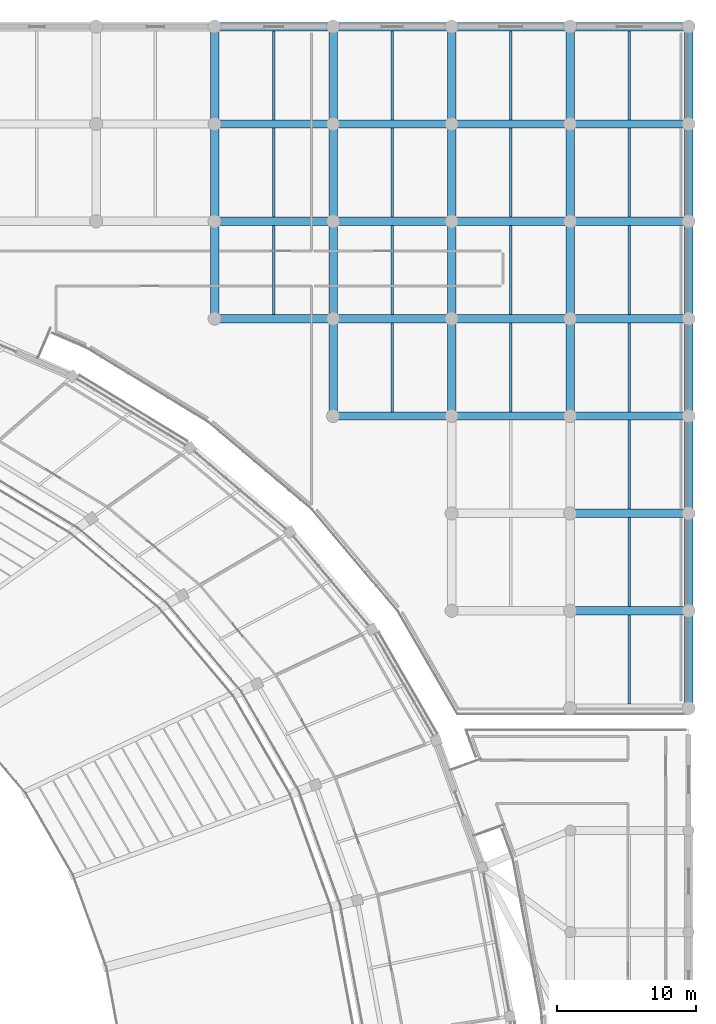
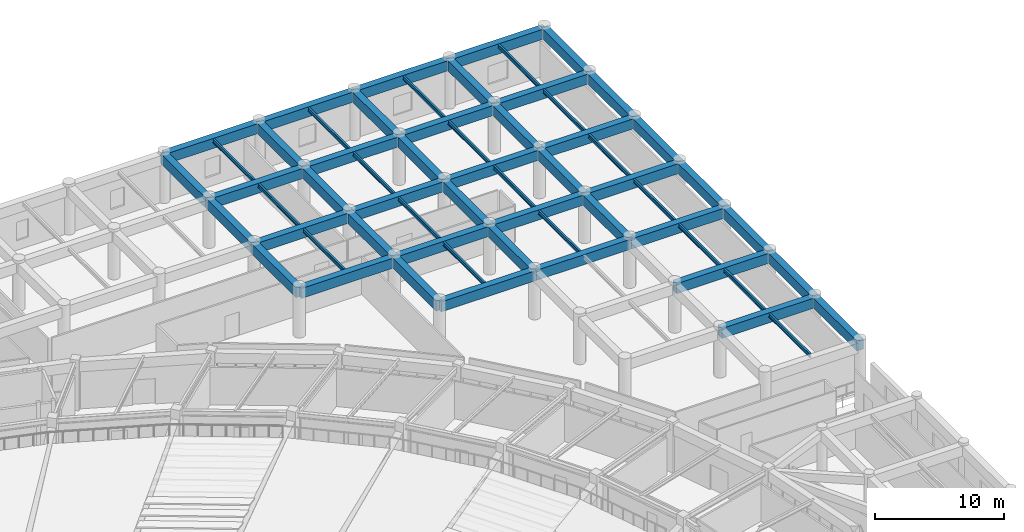
# One storey, part 73 of 137: 61 beams.
"""IFC4 building model written with IfcOpenShell, lengths in metres."""

from ifc_helpers import new_model, si_unit, direction, frame, origin, origin_2d, place, context, subcontext, project, spatial, rectangle, i_section, extrude, material, material_profile, profile_set, type_object, element, save


model = new_model("IFC4")

# Units and contexts
model_context = context("Model", 3, precision=1e-05, world=origin(), true_north=direction((0.0, 1.0)))
body_context = subcontext(model_context, "Body", "Model", "MODEL_VIEW")
ifc_project = project(units=[si_unit("LENGTHUNIT", "METRE"), si_unit("AREAUNIT", "SQUARE_METRE"), si_unit("VOLUMEUNIT", "CUBIC_METRE"), si_unit("PLANEANGLEUNIT", "RADIAN"), si_unit("MASSUNIT", "GRAM", prefix="KILO")], contexts=[model_context])

# Site, building, storey
site_placement = place(None, origin())
site = spatial("IfcSite", under=ifc_project, at=site_placement, CompositionType="ELEMENT")
building_placement = place(site_placement, origin())
building = spatial("IfcBuilding", under=site, at=building_placement, Name="Mphavela Belvedere Stadium", CompositionType="ELEMENT")
storey_placement = place(building_placement, frame((0.0, 0.0, 19.199951171875)))
storey = spatial("IfcBuildingStorey", under=building, at=storey_placement, Name="L04", CompositionType="ELEMENT", Elevation=19.199951171875)

# Beams
ifc_material_1 = material(Name="Concrete C40/50", Category="concrete")
ifc_material_profile_1 = material_profile(ifc_material_1, rectangle(XDim=0.60009765625, YDim=0.949951171875, at=origin_2d()), Name="RC 600x950")
ifc_profile_set_1 = profile_set([ifc_material_profile_1], Name="Concrete C40/50")
beam_type_1 = type_object("IfcBeamType", Name="BM-ENTABLATURE-950", PredefinedType="SPANDREL", material=ifc_profile_set_1)
beam_1_placement = place(storey_placement, frame((195.926025390625, 153.0, 4.06494140625), z_axis=(1.0, 0.0, 0.0), x_axis=(0.0, 1.0, 0.0)))
element("IfcBeam", 1, at=beam_1_placement, inside=storey, type_object=beam_type_1, Name="North Mast and Ceremonial End Forecourt entablature beam X L04 24-5", PredefinedType="SPANDREL", context=body_context, shape_type="SweptSolid", body=[
    extrude(rectangle(XDim=0.60009765625, YDim=0.949951171875, at=origin_2d()), origin(), (0.0, 0.0, 1.0), 8.51806640625),
])
beam_2_placement = place(storey_placement, frame((195.926025390625, 153.0, 4.06494140625), z_axis=(0.0, 1.0, 0.0), x_axis=(-1.0, 0.0, 0.0)))
element("IfcBeam", 2, at=beam_2_placement, inside=storey, type_object=beam_type_1, Name="North Mast and Ceremonial End Forecourt entablature beam Y L04 24-5", PredefinedType="SPANDREL", context=body_context, shape_type="SweptSolid", body=[
    extrude(rectangle(XDim=0.60009765625, YDim=0.949951171875, at=origin_2d()), origin(), (0.0, 0.0, 1.0), 7.0),
])
beam_3_placement = place(storey_placement, frame((195.926025390625, 160.0, 4.06494140625), z_axis=(1.0, 0.0, 0.0), x_axis=(0.0, 1.0, 0.0)))
element("IfcBeam", 3, at=beam_3_placement, inside=storey, type_object=beam_type_1, Name="North Mast and Ceremonial End Forecourt entablature beam X L04 24-6", PredefinedType="SPANDREL", context=body_context, shape_type="SweptSolid", body=[
    extrude(rectangle(XDim=0.60009765625, YDim=0.949951171875, at=origin_2d()), origin(), (0.0, 0.0, 1.0), 8.51806640625),
])
beam_4_placement = place(storey_placement, frame((195.926025390625, 160.0, 4.06494140625), z_axis=(0.0, 1.0, 0.0), x_axis=(-1.0, 0.0, 0.0)))
element("IfcBeam", 4, at=beam_4_placement, inside=storey, type_object=beam_type_1, Name="North Mast and Ceremonial End Forecourt entablature beam Y L04 24-6", PredefinedType="SPANDREL", context=body_context, shape_type="SweptSolid", body=[
    extrude(rectangle(XDim=0.60009765625, YDim=0.949951171875, at=origin_2d()), origin(), (0.0, 0.0, 1.0), 7.0),
])
beam_5_placement = place(storey_placement, frame((195.926025390625, 167.0, 4.06494140625), z_axis=(1.0, 0.0, 0.0), x_axis=(0.0, 1.0, 0.0)))
element("IfcBeam", 5, at=beam_5_placement, inside=storey, type_object=beam_type_1, Name="North Mast and Ceremonial End Forecourt entablature beam X L04 24-7", PredefinedType="SPANDREL", context=body_context, shape_type="SweptSolid", body=[
    extrude(rectangle(XDim=0.60009765625, YDim=0.949951171875, at=origin_2d()), origin(), (0.0, 0.0, 1.0), 8.51806640625),
])
beam_6_placement = place(storey_placement, frame((195.926025390625, 167.0, 4.06494140625), z_axis=(0.0, 1.0, 0.0), x_axis=(-1.0, 0.0, 0.0)))
element("IfcBeam", 6, at=beam_6_placement, inside=storey, type_object=beam_type_1, Name="North Mast and Ceremonial End Forecourt entablature beam Y L04 24-7", PredefinedType="SPANDREL", context=body_context, shape_type="SweptSolid", body=[
    extrude(rectangle(XDim=0.60009765625, YDim=0.949951171875, at=origin_2d()), origin(), (0.0, 0.0, 1.0), 7.0),
])
beam_7_placement = place(storey_placement, frame((195.926025390625, 174.0, 4.06494140625), z_axis=(1.0, 0.0, 0.0), x_axis=(0.0, 1.0, 0.0)))
element("IfcBeam", 7, at=beam_7_placement, inside=storey, type_object=beam_type_1, Name="North Mast and Ceremonial End Forecourt entablature beam X L04 24-8", PredefinedType="SPANDREL", context=body_context, shape_type="SweptSolid", body=[
    extrude(rectangle(XDim=0.60009765625, YDim=0.949951171875, at=origin_2d()), origin(), (0.0, 0.0, 1.0), 8.51806640625),
])
beam_8_placement = place(storey_placement, frame((204.444091796875, 146.0, 4.06494140625), z_axis=(1.0, 0.0, 0.0), x_axis=(0.0, 1.0, 0.0)))
element("IfcBeam", 8, at=beam_8_placement, inside=storey, type_object=beam_type_1, Name="North Mast and Ceremonial End Forecourt entablature beam X L04 25-4", PredefinedType="SPANDREL", context=body_context, shape_type="SweptSolid", body=[
    extrude(rectangle(XDim=0.60009765625, YDim=0.949951171875, at=origin_2d()), origin(), (0.0, 0.0, 1.0), 8.518798828125),
])
beam_9_placement = place(storey_placement, frame((204.444091796875, 146.0, 4.06494140625), z_axis=(0.0, 1.0, 0.0), x_axis=(-1.0, 0.0, 0.0)))
element("IfcBeam", 9, at=beam_9_placement, inside=storey, type_object=beam_type_1, Name="North Mast and Ceremonial End Forecourt entablature beam Y L04 25-4", PredefinedType="SPANDREL", context=body_context, shape_type="SweptSolid", body=[
    extrude(rectangle(XDim=0.60009765625, YDim=0.949951171875, at=origin_2d()), origin(), (0.0, 0.0, 1.0), 7.0),
])
beam_10_placement = place(storey_placement, frame((204.444091796875, 153.0, 4.06494140625), z_axis=(1.0, 0.0, 0.0), x_axis=(0.0, 1.0, 0.0)))
element("IfcBeam", 10, at=beam_10_placement, inside=storey, type_object=beam_type_1, Name="North Mast and Ceremonial End Forecourt entablature beam X L04 25-5", PredefinedType="SPANDREL", context=body_context, shape_type="SweptSolid", body=[
    extrude(rectangle(XDim=0.60009765625, YDim=0.949951171875, at=origin_2d()), origin(), (0.0, 0.0, 1.0), 8.518798828125),
])
beam_11_placement = place(storey_placement, frame((204.444091796875, 153.0, 4.06494140625), z_axis=(0.0, 1.0, 0.0), x_axis=(-1.0, 0.0, 0.0)))
element("IfcBeam", 11, at=beam_11_placement, inside=storey, type_object=beam_type_1, Name="North Mast and Ceremonial End Forecourt entablature beam Y L04 25-5", PredefinedType="SPANDREL", context=body_context, shape_type="SweptSolid", body=[
    extrude(rectangle(XDim=0.60009765625, YDim=0.949951171875, at=origin_2d()), origin(), (0.0, 0.0, 1.0), 7.0),
])
beam_12_placement = place(storey_placement, frame((204.444091796875, 160.0, 4.06494140625), z_axis=(1.0, 0.0, 0.0), x_axis=(0.0, 1.0, 0.0)))
element("IfcBeam", 12, at=beam_12_placement, inside=storey, type_object=beam_type_1, Name="North Mast and Ceremonial End Forecourt entablature beam X L04 25-6", PredefinedType="SPANDREL", context=body_context, shape_type="SweptSolid", body=[
    extrude(rectangle(XDim=0.60009765625, YDim=0.949951171875, at=origin_2d()), origin(), (0.0, 0.0, 1.0), 8.518798828125),
])
beam_13_placement = place(storey_placement, frame((204.444091796875, 160.0, 4.06494140625), z_axis=(0.0, 1.0, 0.0), x_axis=(-1.0, 0.0, 0.0)))
element("IfcBeam", 13, at=beam_13_placement, inside=storey, type_object=beam_type_1, Name="North Mast and Ceremonial End Forecourt entablature beam Y L04 25-6", PredefinedType="SPANDREL", context=body_context, shape_type="SweptSolid", body=[
    extrude(rectangle(XDim=0.60009765625, YDim=0.949951171875, at=origin_2d()), origin(), (0.0, 0.0, 1.0), 7.0),
])
beam_14_placement = place(storey_placement, frame((204.444091796875, 167.0, 4.06494140625), z_axis=(1.0, 0.0, 0.0), x_axis=(0.0, 1.0, 0.0)))
element("IfcBeam", 14, at=beam_14_placement, inside=storey, type_object=beam_type_1, Name="North Mast and Ceremonial End Forecourt entablature beam X L04 25-7", PredefinedType="SPANDREL", context=body_context, shape_type="SweptSolid", body=[
    extrude(rectangle(XDim=0.60009765625, YDim=0.949951171875, at=origin_2d()), origin(), (0.0, 0.0, 1.0), 8.518798828125),
])
beam_15_placement = place(storey_placement, frame((204.444091796875, 167.0, 4.06494140625), z_axis=(0.0, 1.0, 0.0), x_axis=(-1.0, 0.0, 0.0)))
element("IfcBeam", 15, at=beam_15_placement, inside=storey, type_object=beam_type_1, Name="North Mast and Ceremonial End Forecourt entablature beam Y L04 25-7", PredefinedType="SPANDREL", context=body_context, shape_type="SweptSolid", body=[
    extrude(rectangle(XDim=0.60009765625, YDim=0.949951171875, at=origin_2d()), origin(), (0.0, 0.0, 1.0), 7.0),
])
beam_16_placement = place(storey_placement, frame((204.444091796875, 174.0, 4.06494140625), z_axis=(1.0, 0.0, 0.0), x_axis=(0.0, 1.0, 0.0)))
element("IfcBeam", 16, at=beam_16_placement, inside=storey, type_object=beam_type_1, Name="North Mast and Ceremonial End Forecourt entablature beam X L04 25-8", PredefinedType="SPANDREL", context=body_context, shape_type="SweptSolid", body=[
    extrude(rectangle(XDim=0.60009765625, YDim=0.949951171875, at=origin_2d()), origin(), (0.0, 0.0, 1.0), 8.518798828125),
])
beam_17_placement = place(storey_placement, frame((212.962890625, 146.0, 4.06494140625), z_axis=(1.0, 0.0, 0.0), x_axis=(0.0, 1.0, 0.0)))
element("IfcBeam", 17, at=beam_17_placement, inside=storey, type_object=beam_type_1, Name="North Mast and Ceremonial End Forecourt entablature beam X L04 26-4", PredefinedType="SPANDREL", context=body_context, shape_type="SweptSolid", body=[
    extrude(rectangle(XDim=0.60009765625, YDim=0.949951171875, at=origin_2d()), origin(), (0.0, 0.0, 1.0), 8.51806640625),
])
beam_18_placement = place(storey_placement, frame((212.962890625, 146.0, 4.06494140625), z_axis=(0.0, 1.0, 0.0), x_axis=(-1.0, 0.0, 0.0)))
element("IfcBeam", 18, at=beam_18_placement, inside=storey, type_object=beam_type_1, Name="North Mast and Ceremonial End Forecourt entablature beam Y L04 26-4", PredefinedType="SPANDREL", context=body_context, shape_type="SweptSolid", body=[
    extrude(rectangle(XDim=0.60009765625, YDim=0.949951171875, at=origin_2d()), origin(), (0.0, 0.0, 1.0), 7.0),
])
beam_19_placement = place(storey_placement, frame((212.962890625, 153.0, 4.06494140625), z_axis=(1.0, 0.0, 0.0), x_axis=(0.0, 1.0, 0.0)))
element("IfcBeam", 19, at=beam_19_placement, inside=storey, type_object=beam_type_1, Name="North Mast and Ceremonial End Forecourt entablature beam X L04 26-5", PredefinedType="SPANDREL", context=body_context, shape_type="SweptSolid", body=[
    extrude(rectangle(XDim=0.60009765625, YDim=0.949951171875, at=origin_2d()), origin(), (0.0, 0.0, 1.0), 8.51806640625),
])
beam_20_placement = place(storey_placement, frame((212.962890625, 153.0, 4.06494140625), z_axis=(0.0, 1.0, 0.0), x_axis=(-1.0, 0.0, 0.0)))
element("IfcBeam", 20, at=beam_20_placement, inside=storey, type_object=beam_type_1, Name="North Mast and Ceremonial End Forecourt entablature beam Y L04 26-5", PredefinedType="SPANDREL", context=body_context, shape_type="SweptSolid", body=[
    extrude(rectangle(XDim=0.60009765625, YDim=0.949951171875, at=origin_2d()), origin(), (0.0, 0.0, 1.0), 7.0),
])
beam_21_placement = place(storey_placement, frame((212.962890625, 160.0, 4.06494140625), z_axis=(1.0, 0.0, 0.0), x_axis=(0.0, 1.0, 0.0)))
element("IfcBeam", 21, at=beam_21_placement, inside=storey, type_object=beam_type_1, Name="North Mast and Ceremonial End Forecourt entablature beam X L04 26-6", PredefinedType="SPANDREL", context=body_context, shape_type="SweptSolid", body=[
    extrude(rectangle(XDim=0.60009765625, YDim=0.949951171875, at=origin_2d()), origin(), (0.0, 0.0, 1.0), 8.51806640625),
])
beam_22_placement = place(storey_placement, frame((212.962890625, 160.0, 4.06494140625), z_axis=(0.0, 1.0, 0.0), x_axis=(-1.0, 0.0, 0.0)))
element("IfcBeam", 22, at=beam_22_placement, inside=storey, type_object=beam_type_1, Name="North Mast and Ceremonial End Forecourt entablature beam Y L04 26-6", PredefinedType="SPANDREL", context=body_context, shape_type="SweptSolid", body=[
    extrude(rectangle(XDim=0.60009765625, YDim=0.949951171875, at=origin_2d()), origin(), (0.0, 0.0, 1.0), 7.0),
])
beam_23_placement = place(storey_placement, frame((212.962890625, 167.0, 4.06494140625), z_axis=(1.0, 0.0, 0.0), x_axis=(0.0, 1.0, 0.0)))
element("IfcBeam", 23, at=beam_23_placement, inside=storey, type_object=beam_type_1, Name="North Mast and Ceremonial End Forecourt entablature beam X L04 26-7", PredefinedType="SPANDREL", context=body_context, shape_type="SweptSolid", body=[
    extrude(rectangle(XDim=0.60009765625, YDim=0.949951171875, at=origin_2d()), origin(), (0.0, 0.0, 1.0), 8.51806640625),
])
beam_24_placement = place(storey_placement, frame((212.962890625, 167.0, 4.06494140625), z_axis=(0.0, 1.0, 0.0), x_axis=(-1.0, 0.0, 0.0)))
element("IfcBeam", 24, at=beam_24_placement, inside=storey, type_object=beam_type_1, Name="North Mast and Ceremonial End Forecourt entablature beam Y L04 26-7", PredefinedType="SPANDREL", context=body_context, shape_type="SweptSolid", body=[
    extrude(rectangle(XDim=0.60009765625, YDim=0.949951171875, at=origin_2d()), origin(), (0.0, 0.0, 1.0), 7.0),
])
beam_25_placement = place(storey_placement, frame((212.962890625, 174.0, 4.06494140625), z_axis=(1.0, 0.0, 0.0), x_axis=(0.0, 1.0, 0.0)))
element("IfcBeam", 25, at=beam_25_placement, inside=storey, type_object=beam_type_1, Name="North Mast and Ceremonial End Forecourt entablature beam X L04 26-8", PredefinedType="SPANDREL", context=body_context, shape_type="SweptSolid", body=[
    extrude(rectangle(XDim=0.60009765625, YDim=0.949951171875, at=origin_2d()), origin(), (0.0, 0.0, 1.0), 8.51806640625),
])
for number, where, z_axis, x_axis, name in (
    (26, (221.48095703125, 132.0, 4.06494140625), (1.0, 0.0, 0.0), (0.0, 1.0, 0.0), "North Mast and Ceremonial End Forecourt entablature beam X L04 27-2"),
    (27, (221.48095703125, 139.0, 4.06494140625), (1.0, 0.0, 0.0), (0.0, 1.0, 0.0), "North Mast and Ceremonial End Forecourt entablature beam X L04 27-3"),
    (28, (221.48095703125, 146.0, 4.06494140625), (1.0, 0.0, 0.0), (0.0, 1.0, 0.0), "North Mast and Ceremonial End Forecourt entablature beam X L04 27-4"),
):
    element("IfcBeam", number, at=place(storey_placement, frame(where, z_axis=z_axis, x_axis=x_axis)), inside=storey, type_object=beam_type_1, Name=name, PredefinedType="SPANDREL", context=body_context, shape_type="SweptSolid", body=[
        extrude(rectangle(XDim=0.60009765625, YDim=0.949951171875, at=origin_2d()), origin(), (0.0, 0.0, 1.0), 8.51904296875),
    ])
beam_26_placement = place(storey_placement, frame((221.48095703125, 146.0, 4.06494140625), z_axis=(0.0, 1.0, 0.0), x_axis=(-1.0, 0.0, 0.0)))
element("IfcBeam", 29, at=beam_26_placement, inside=storey, type_object=beam_type_1, Name="North Mast and Ceremonial End Forecourt entablature beam Y L04 27-4", PredefinedType="SPANDREL", context=body_context, shape_type="SweptSolid", body=[
    extrude(rectangle(XDim=0.60009765625, YDim=0.949951171875, at=origin_2d()), origin(), (0.0, 0.0, 1.0), 7.0),
])
beam_27_placement = place(storey_placement, frame((221.48095703125, 153.0, 4.06494140625), z_axis=(1.0, 0.0, 0.0), x_axis=(0.0, 1.0, 0.0)))
element("IfcBeam", 30, at=beam_27_placement, inside=storey, type_object=beam_type_1, Name="North Mast and Ceremonial End Forecourt entablature beam X L04 27-5", PredefinedType="SPANDREL", context=body_context, shape_type="SweptSolid", body=[
    extrude(rectangle(XDim=0.60009765625, YDim=0.949951171875, at=origin_2d()), origin(), (0.0, 0.0, 1.0), 8.51904296875),
])
beam_28_placement = place(storey_placement, frame((221.48095703125, 153.0, 4.06494140625), z_axis=(0.0, 1.0, 0.0), x_axis=(-1.0, 0.0, 0.0)))
element("IfcBeam", 31, at=beam_28_placement, inside=storey, type_object=beam_type_1, Name="North Mast and Ceremonial End Forecourt entablature beam Y L04 27-5", PredefinedType="SPANDREL", context=body_context, shape_type="SweptSolid", body=[
    extrude(rectangle(XDim=0.60009765625, YDim=0.949951171875, at=origin_2d()), origin(), (0.0, 0.0, 1.0), 7.0),
])
beam_29_placement = place(storey_placement, frame((221.48095703125, 160.0, 4.06494140625), z_axis=(1.0, 0.0, 0.0), x_axis=(0.0, 1.0, 0.0)))
element("IfcBeam", 32, at=beam_29_placement, inside=storey, type_object=beam_type_1, Name="North Mast and Ceremonial End Forecourt entablature beam X L04 27-6", PredefinedType="SPANDREL", context=body_context, shape_type="SweptSolid", body=[
    extrude(rectangle(XDim=0.60009765625, YDim=0.949951171875, at=origin_2d()), origin(), (0.0, 0.0, 1.0), 8.51904296875),
])
beam_30_placement = place(storey_placement, frame((221.48095703125, 160.0, 4.06494140625), z_axis=(0.0, 1.0, 0.0), x_axis=(-1.0, 0.0, 0.0)))
element("IfcBeam", 33, at=beam_30_placement, inside=storey, type_object=beam_type_1, Name="North Mast and Ceremonial End Forecourt entablature beam Y L04 27-6", PredefinedType="SPANDREL", context=body_context, shape_type="SweptSolid", body=[
    extrude(rectangle(XDim=0.60009765625, YDim=0.949951171875, at=origin_2d()), origin(), (0.0, 0.0, 1.0), 7.0),
])
beam_31_placement = place(storey_placement, frame((221.48095703125, 167.0, 4.06494140625), z_axis=(1.0, 0.0, 0.0), x_axis=(0.0, 1.0, 0.0)))
element("IfcBeam", 34, at=beam_31_placement, inside=storey, type_object=beam_type_1, Name="North Mast and Ceremonial End Forecourt entablature beam X L04 27-7", PredefinedType="SPANDREL", context=body_context, shape_type="SweptSolid", body=[
    extrude(rectangle(XDim=0.60009765625, YDim=0.949951171875, at=origin_2d()), origin(), (0.0, 0.0, 1.0), 8.51904296875),
])
beam_32_placement = place(storey_placement, frame((221.48095703125, 167.0, 4.06494140625), z_axis=(0.0, 1.0, 0.0), x_axis=(-1.0, 0.0, 0.0)))
element("IfcBeam", 35, at=beam_32_placement, inside=storey, type_object=beam_type_1, Name="North Mast and Ceremonial End Forecourt entablature beam Y L04 27-7", PredefinedType="SPANDREL", context=body_context, shape_type="SweptSolid", body=[
    extrude(rectangle(XDim=0.60009765625, YDim=0.949951171875, at=origin_2d()), origin(), (0.0, 0.0, 1.0), 7.0),
])
beam_33_placement = place(storey_placement, frame((221.48095703125, 174.0, 4.06494140625), z_axis=(1.0, 0.0, 0.0), x_axis=(0.0, 1.0, 0.0)))
element("IfcBeam", 36, at=beam_33_placement, inside=storey, type_object=beam_type_1, Name="North Mast and Ceremonial End Forecourt entablature beam X L04 27-8", PredefinedType="SPANDREL", context=body_context, shape_type="SweptSolid", body=[
    extrude(rectangle(XDim=0.60009765625, YDim=0.949951171875, at=origin_2d()), origin(), (0.0, 0.0, 1.0), 8.51904296875),
])
for number, where, z_axis, x_axis, name in (
    (37, (230.0, 125.0, 4.06494140625), (0.0, 1.0, 0.0), (-1.0, 0.0, 0.0), "North Mast and Ceremonial End Forecourt entablature beam Y L04 28-1"),
    (38, (230.0, 132.0, 4.06494140625), (0.0, 1.0, 0.0), (-1.0, 0.0, 0.0), "North Mast and Ceremonial End Forecourt entablature beam Y L04 28-2"),
    (39, (230.0, 139.0, 4.06494140625), (0.0, 1.0, 0.0), (-1.0, 0.0, 0.0), "North Mast and Ceremonial End Forecourt entablature beam Y L04 28-3"),
    (40, (230.0, 146.0, 4.06494140625), (0.0, 1.0, 0.0), (-1.0, 0.0, 0.0), "North Mast and Ceremonial End Forecourt entablature beam Y L04 28-4"),
    (41, (230.0, 153.0, 4.06494140625), (0.0, 1.0, 0.0), (-1.0, 0.0, 0.0), "North Mast and Ceremonial End Forecourt entablature beam Y L04 28-5"),
    (42, (230.0, 160.0, 4.06494140625), (0.0, 1.0, 0.0), (-1.0, 0.0, 0.0), "North Mast and Ceremonial End Forecourt entablature beam Y L04 28-6"),
    (43, (230.0, 167.0, 4.06494140625), (0.0, 1.0, 0.0), (-1.0, 0.0, 0.0), "North Mast and Ceremonial End Forecourt entablature beam Y L04 28-7"),
):
    element("IfcBeam", number, at=place(storey_placement, frame(where, z_axis=z_axis, x_axis=x_axis)), inside=storey, type_object=beam_type_1, Name=name, PredefinedType="SPANDREL", context=body_context, shape_type="SweptSolid", body=[
        extrude(rectangle(XDim=0.60009765625, YDim=0.949951171875, at=origin_2d()), origin(), (0.0, 0.0, 1.0), 7.0),
    ])
ifc_material_2 = material(Name="Steel S355", Category="steel")
ifc_material_profile_2 = material_profile(ifc_material_2, i_section(OverallWidth=0.169921875, OverallDepth=0.360107421875, WebThickness=0.008056640625, FlangeThickness=0.0126953125, at=origin_2d()), Name="IPE 360")
ifc_profile_set_2 = profile_set([ifc_material_profile_2], Name="Steel S355")
beam_type_2 = type_object("IfcBeamType", Name="BM-JOIST-IPE360", PredefinedType="JOIST", material=ifc_profile_set_2)
for number, where, z_axis, x_axis, name in (
    (44, (200.18505859375, 153.300048828125, 4.360107421875), (0.0, 1.0, 0.0), (-1.0, 0.0, 0.0), "North Mast and Ceremonial End Forecourt secondary joist L04 24-5"),
    (45, (200.18505859375, 160.300048828125, 4.360107421875), (0.0, 1.0, 0.0), (-1.0, 0.0, 0.0), "North Mast and Ceremonial End Forecourt secondary joist L04 24-6"),
    (46, (200.18505859375, 167.300048828125, 4.360107421875), (0.0, 1.0, 0.0), (-1.0, 0.0, 0.0), "North Mast and Ceremonial End Forecourt secondary joist L04 24-7"),
    (47, (208.70361328125, 146.300048828125, 4.360107421875), (0.0, 1.0, 0.0), (-1.0, 0.0, 0.0), "North Mast and Ceremonial End Forecourt secondary joist L04 25-4"),
    (48, (208.70361328125, 153.300048828125, 4.360107421875), (0.0, 1.0, 0.0), (-1.0, 0.0, 0.0), "North Mast and Ceremonial End Forecourt secondary joist L04 25-5"),
    (49, (208.70361328125, 160.300048828125, 4.360107421875), (0.0, 1.0, 0.0), (-1.0, 0.0, 0.0), "North Mast and Ceremonial End Forecourt secondary joist L04 25-6"),
    (50, (208.70361328125, 167.300048828125, 4.360107421875), (0.0, 1.0, 0.0), (-1.0, 0.0, 0.0), "North Mast and Ceremonial End Forecourt secondary joist L04 25-7"),
    (51, (217.221923828125, 146.300048828125, 4.360107421875), (0.0, 1.0, 0.0), (-1.0, 0.0, 0.0), "North Mast and Ceremonial End Forecourt secondary joist L04 26-4"),
    (52, (217.221923828125, 153.300048828125, 4.360107421875), (0.0, 1.0, 0.0), (-1.0, 0.0, 0.0), "North Mast and Ceremonial End Forecourt secondary joist L04 26-5"),
    (53, (217.221923828125, 160.300048828125, 4.360107421875), (0.0, 1.0, 0.0), (-1.0, 0.0, 0.0), "North Mast and Ceremonial End Forecourt secondary joist L04 26-6"),
    (54, (217.221923828125, 167.300048828125, 4.360107421875), (0.0, 1.0, 0.0), (-1.0, 0.0, 0.0), "North Mast and Ceremonial End Forecourt secondary joist L04 26-7"),
    (55, (225.740478515625, 125.300048828125, 4.360107421875), (0.0, 1.0, 0.0), (-1.0, 0.0, 0.0), "North Mast and Ceremonial End Forecourt secondary joist L04 27-1"),
    (56, (225.740478515625, 132.300048828125, 4.360107421875), (0.0, 1.0, 0.0), (-1.0, 0.0, 0.0), "North Mast and Ceremonial End Forecourt secondary joist L04 27-2"),
    (57, (225.740478515625, 139.300048828125, 4.360107421875), (0.0, 1.0, 0.0), (-1.0, 0.0, 0.0), "North Mast and Ceremonial End Forecourt secondary joist L04 27-3"),
    (58, (225.740478515625, 146.300048828125, 4.360107421875), (0.0, 1.0, 0.0), (-1.0, 0.0, 0.0), "North Mast and Ceremonial End Forecourt secondary joist L04 27-4"),
    (59, (225.740478515625, 153.300048828125, 4.360107421875), (0.0, 1.0, 0.0), (-1.0, 0.0, 0.0), "North Mast and Ceremonial End Forecourt secondary joist L04 27-5"),
    (60, (225.740478515625, 160.300048828125, 4.360107421875), (0.0, 1.0, 0.0), (-1.0, 0.0, 0.0), "North Mast and Ceremonial End Forecourt secondary joist L04 27-6"),
    (61, (225.740478515625, 167.300048828125, 4.360107421875), (0.0, 1.0, 0.0), (-1.0, 0.0, 0.0), "North Mast and Ceremonial End Forecourt secondary joist L04 27-7"),
):
    element("IfcBeam", number, at=place(storey_placement, frame(where, z_axis=z_axis, x_axis=x_axis)), inside=storey, type_object=beam_type_2, Name=name, PredefinedType="JOIST", context=body_context, shape_type="SweptSolid", body=[
        extrude(i_section(OverallWidth=0.169921875, OverallDepth=0.360107421875, WebThickness=0.008056640625, FlangeThickness=0.0126953125, at=origin_2d()), origin(), (0.0, 0.0, 1.0), 6.39990234375),
    ])

save(model, "model.ifc")
